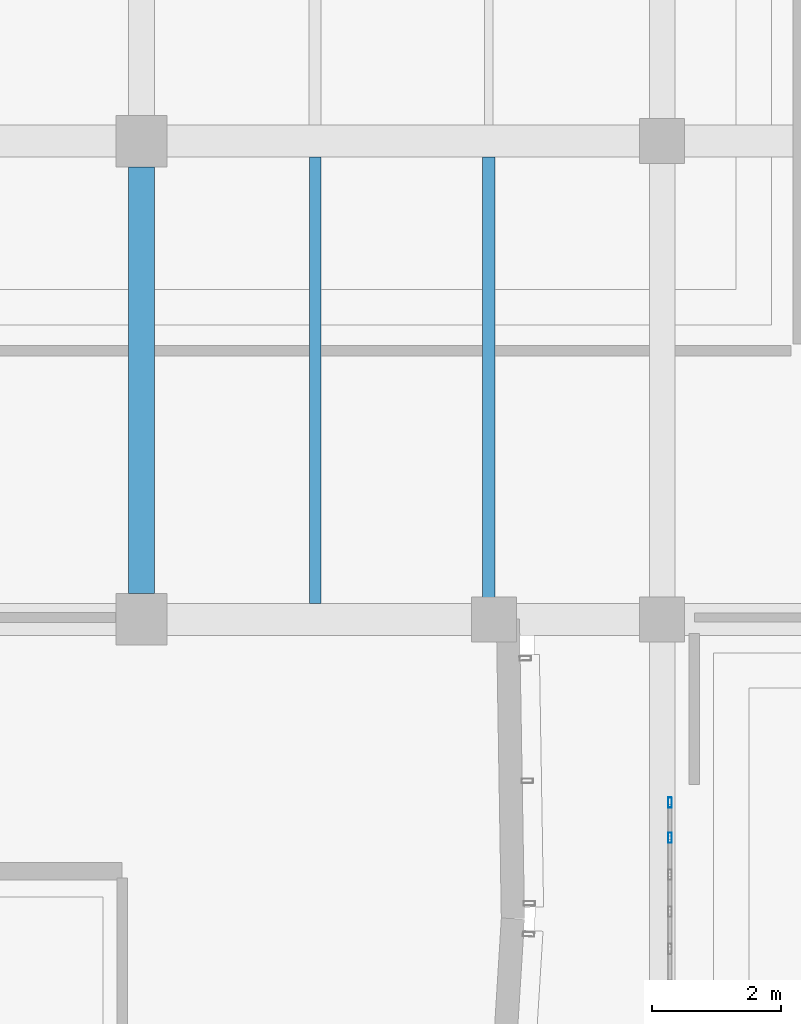
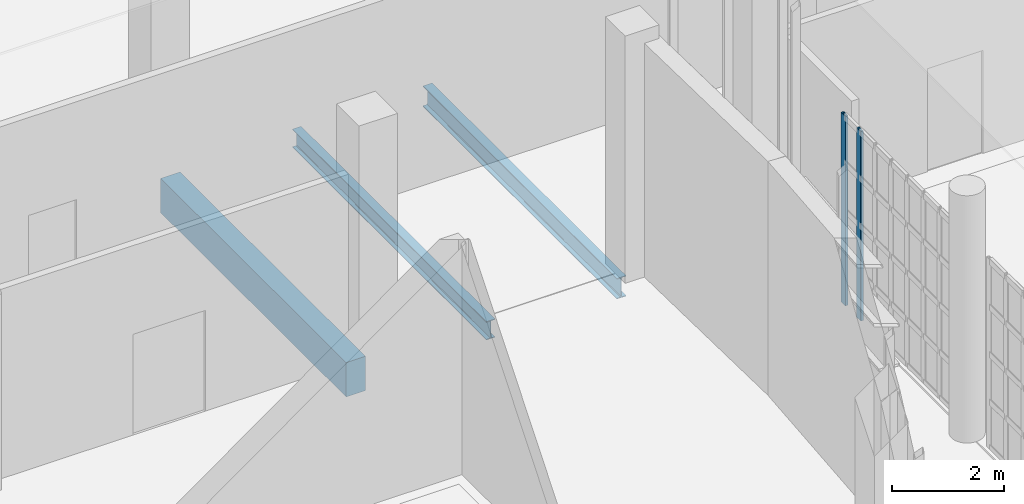
# One storey, part 236 of 372: 3 beams, 2 members, 1 element without a shape of its own.
"""IFC4 building model written with IfcOpenShell, lengths in metres."""

from ifc_helpers import new_model, si_unit, direction, frame, origin, origin_2d, place, context, subcontext, project, spatial, rectangle, hollow_rectangle, i_section, extrude, material, material_profile, profile_set, type_object, element, aggregate, save


model = new_model("IFC4")

# Units and contexts
model_context = context("Model", 3, precision=1e-05, world=origin(), true_north=direction((0.0, 1.0)))
body_context = subcontext(model_context, "Body", "Model", "MODEL_VIEW")
ifc_project = project(units=[si_unit("LENGTHUNIT", "METRE"), si_unit("AREAUNIT", "SQUARE_METRE"), si_unit("VOLUMEUNIT", "CUBIC_METRE"), si_unit("PLANEANGLEUNIT", "RADIAN"), si_unit("MASSUNIT", "GRAM", prefix="KILO")], contexts=[model_context])

# Site, building, storey
site_placement = place(None, origin())
site = spatial("IfcSite", under=ifc_project, at=site_placement, CompositionType="ELEMENT")
building_placement = place(site_placement, origin())
building = spatial("IfcBuilding", under=site, at=building_placement, Name="Kaelora Sail Theatre", CompositionType="ELEMENT")
storey_placement = place(building_placement, origin())
storey = spatial("IfcBuildingStorey", under=building, at=storey_placement, Name="L00", CompositionType="ELEMENT", Elevation=0.0)

# Curtain wall, members
ifc_material_1 = material(Name="Anodised aluminium and solar-control low-E IGU", Category="aluminium")
curtain_wall_type = type_object("IfcCurtainWallType", Name="ARC-CW-CW-FOY2", PredefinedType="NOTDEFINED", material=ifc_material_1)
curtain_wall_placement = place(storey_placement, origin())
curtain_wall = element("IfcCurtainWall", 1, at=curtain_wall_placement, inside=storey, type_object=curtain_wall_type, Name="East Interstitial Foyer West Glazed Return L00-04", PredefinedType="NOTDEFINED")
ifc_material_2 = material(Name="Anodised aluminium 6063-T6", Category="aluminium")
ifc_material_profile_1 = material_profile(ifc_material_2, hollow_rectangle(XDim=0.06005859375, YDim=0.159912109375, WallThickness=0.00390625, InnerFilletRadius=0.00390625, OuterFilletRadius=0.008056640625, at=origin_2d()), Name="ALU-MULL 60x160x4")
ifc_profile_set_1 = profile_set([ifc_material_profile_1], Name="Anodised aluminium 6063-T6")
member_type = type_object("IfcMemberType", Name="ARC-MEM-ML-160", PredefinedType="MULLION", material=ifc_profile_set_1)
member_1_placement = place(storey_placement, frame((106.919921875, 57.62353515625, 0.0), z_axis=(0.0, 0.0, 1.0), x_axis=(-1.0, 0.0, 0.0)))
member_1 = element("IfcMember", 2, at=member_1_placement, type_object=member_type, Name="CW-FOY2 mullion 7", PredefinedType="MULLION", context=body_context, shape_type="SweptSolid", body=[
    extrude(hollow_rectangle(XDim=0.06005859375, YDim=0.159912109375, WallThickness=0.00390625, InnerFilletRadius=0.00390625, OuterFilletRadius=0.008056640625, at=origin_2d()), origin(), (0.0, 0.0, 1.0), 4.136962890625),
])
member_2_placement = place(storey_placement, frame((106.919921875, 58.169921875, 0.0), z_axis=(0.0, 0.0, 1.0), x_axis=(-1.0, 0.0, 0.0)))
member_2 = element("IfcMember", 3, at=member_2_placement, type_object=member_type, Name="CW-FOY2 mullion 8", PredefinedType="MULLION", context=body_context, shape_type="SweptSolid", body=[
    extrude(hollow_rectangle(XDim=0.06005859375, YDim=0.159912109375, WallThickness=0.00390625, InnerFilletRadius=0.00390625, OuterFilletRadius=0.008056640625, at=origin_2d()), origin(), (0.0, 0.0, 1.0), 4.136962890625),
])
aggregate(curtain_wall, [member_1, member_2])

# Beams
ifc_material_3 = material(Name="Steel S355", Category="steel")
ifc_material_profile_2 = material_profile(ifc_material_3, i_section(OverallWidth=0.18994140625, OverallDepth=0.449951171875, WebThickness=0.009521484375, FlangeThickness=0.0146484375, FilletRadius=0.02099609375, at=origin_2d()), Name="IPE 450")
ifc_profile_set_2 = profile_set([ifc_material_profile_2], Name="Steel S355")
beam_type_1 = type_object("IfcBeamType", Name="STR-BM-BM-IPE450", PredefinedType="BEAM", material=ifc_profile_set_2)
beam_1_placement = place(storey_placement, frame((104.10009765625, 61.27001953125, -0.544921875), z_axis=(0.0, 1.0, 0.0), x_axis=(-1.0, 0.0, 0.0)))
element("IfcBeam", 4, at=beam_1_placement, inside=storey, type_object=beam_type_1, Name="Secondary floor joist 13/I-2 (L00)", PredefinedType="BEAM", context=body_context, shape_type="SweptSolid", body=[
    extrude(i_section(OverallWidth=0.18994140625, OverallDepth=0.449951171875, WebThickness=0.009521484375, FlangeThickness=0.0146484375, FilletRadius=0.02099609375, at=origin_2d()), origin(), (0.0, 0.0, 1.0), 6.93994140625),
])
ifc_material_4 = material(Name="Concrete C40/50", Category="concrete")
ifc_material_profile_3 = material_profile(ifc_material_4, rectangle(XDim=0.39990234375, YDim=0.75, at=origin_2d()), Name="RC-BM 400x750")
ifc_profile_set_3 = profile_set([ifc_material_profile_3], Name="Concrete C40/50")
beam_type_2 = type_object("IfcBeamType", Name="STR-BM-BM-RC4075", PredefinedType="BEAM", material=ifc_profile_set_3)
beam_2_placement = place(storey_placement, frame((98.699951171875, 61.419921875, -0.695068359375), z_axis=(0.0, 1.0, 0.0), x_axis=(-1.0, 0.0, 0.0)))
element("IfcBeam", 5, at=beam_2_placement, inside=storey, type_object=beam_type_2, Name="Primary beam 13 I-J (L00)", PredefinedType="BEAM", context=body_context, shape_type="SweptSolid", body=[
    extrude(rectangle(XDim=0.39990234375, YDim=0.75, at=origin_2d()), origin(), (0.0, 0.0, 1.0), 6.64013671875),
])
ifc_material_5 = material(Name="Steel S355", Category="steel")
ifc_material_profile_4 = material_profile(ifc_material_5, i_section(OverallWidth=0.179931640625, OverallDepth=0.39990234375, WebThickness=0.008544921875, FlangeThickness=0.013427734375, FilletRadius=0.02099609375, at=origin_2d()), Name="IPE 400")
ifc_profile_set_4 = profile_set([ifc_material_profile_4], Name="Steel S355")
beam_type_3 = type_object("IfcBeamType", Name="STR-BM-JS-IPE400", PredefinedType="JOIST", material=ifc_profile_set_4)
beam_3_placement = place(storey_placement, frame((101.39990234375, 61.27001953125, -0.52001953125), z_axis=(0.0, 1.0, 0.0), x_axis=(-1.0, 0.0, 0.0)))
element("IfcBeam", 6, at=beam_3_placement, inside=storey, type_object=beam_type_3, Name="Secondary floor joist 13/I-1 (L00)", PredefinedType="JOIST", context=body_context, shape_type="SweptSolid", body=[
    extrude(i_section(OverallWidth=0.179931640625, OverallDepth=0.39990234375, WebThickness=0.008544921875, FlangeThickness=0.013427734375, FilletRadius=0.02099609375, at=origin_2d()), origin(), (0.0, 0.0, 1.0), 6.93994140625),
])

save(model, "model.ifc")
